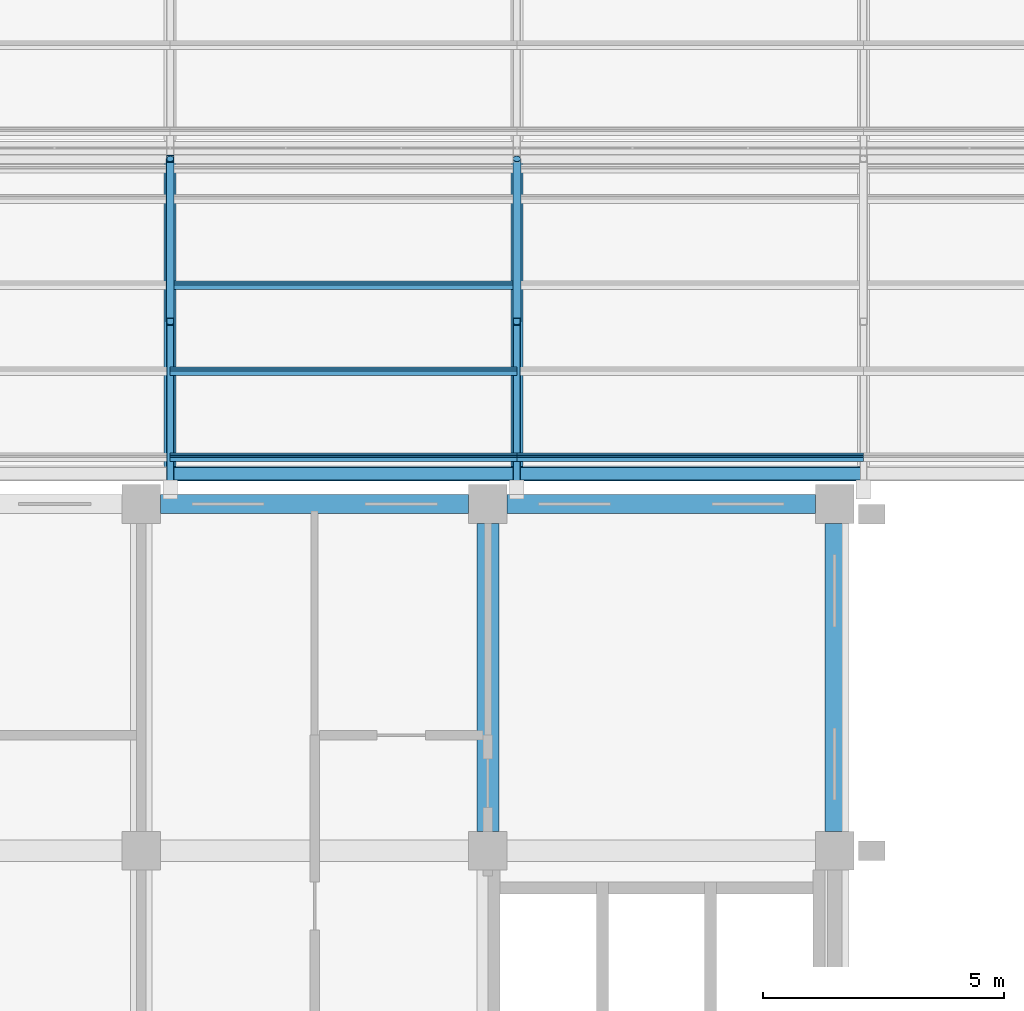
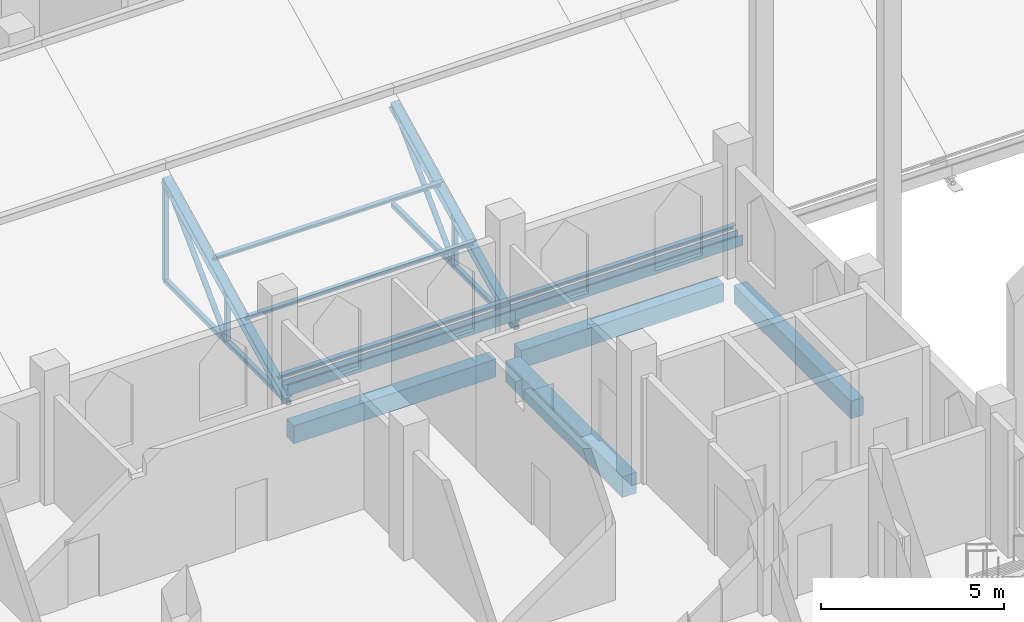
# One storey, part 5 of 29: 15 members, 4 beams.
"""IFC4 building model written with IfcOpenShell, lengths in metres."""

from ifc_helpers import new_model, si_unit, direction, frame, origin, origin_2d, place, context, subcontext, project, spatial, polyline, rectangle, hollow_rectangle, hollow_circle, i_section, outline, extrude, material, material_profile, profile_set, type_object, element, save


model = new_model("IFC4")

# Units and contexts
model_context = context("Model", 3, precision=1e-05, world=origin(), true_north=direction((0.0, 1.0)))
body_context = subcontext(model_context, "Body", "Model", "MODEL_VIEW")
ifc_project = project(units=[si_unit("LENGTHUNIT", "METRE"), si_unit("AREAUNIT", "SQUARE_METRE"), si_unit("VOLUMEUNIT", "CUBIC_METRE"), si_unit("PLANEANGLEUNIT", "RADIAN"), si_unit("MASSUNIT", "GRAM", prefix="KILO")], contexts=[model_context])

# Site, building, storey
site_placement = place(None, origin())
site = spatial("IfcSite", under=ifc_project, at=site_placement, CompositionType="ELEMENT")
building_placement = place(site_placement, origin())
building = spatial("IfcBuilding", under=site, at=building_placement, Name="Silangan Lancet Faculty of Sciences", CompositionType="ELEMENT")
storey_placement = place(building_placement, frame((0.0, 0.0, 40.800048828125)))
storey = spatial("IfcBuildingStorey", under=building, at=storey_placement, Name="L08", CompositionType="ELEMENT", Elevation=40.800048828125)

# Beams
ifc_material_1 = material(Name="Concrete C40/50", Category="concrete")
ifc_material_profile_1 = material_profile(ifc_material_1, rectangle(XDim=0.39990234375, YDim=0.60009765625, at=origin_2d()), Name="RC 400x600")
ifc_profile_set_1 = profile_set([ifc_material_profile_1], Name="Concrete C40/50")
beam_type_1 = type_object("IfcBeamType", Name="BEAM RC 400x600", PredefinedType="BEAM", material=ifc_profile_set_1)
for number, where, z_axis, x_axis, name in (
    (1, (14.800048828125, 21.60009765625, -0.550048828125), (1.0, 0.0, 0.0), (0.0, 1.0, 0.0), "BM-L08-3D-4D"),
    (2, (22.0, 21.60009765625, -0.550048828125), (1.0, 0.0, 0.0), (0.0, 1.0, 0.0), "BM-L08-4D-5D"),
    (3, (28.800048828125, 14.800048828125, -0.550048828125), (0.0, 1.0, 0.0), (-1.0, 0.0, 0.0), "BM-L08-5C-5D"),
):
    element("IfcBeam", number, at=place(storey_placement, frame(where, z_axis=z_axis, x_axis=x_axis)), inside=storey, type_object=beam_type_1, Name=name, PredefinedType="BEAM", context=body_context, shape_type="SweptSolid", body=[
        extrude(rectangle(XDim=0.39990234375, YDim=0.60009765625, at=origin_2d()), origin(), (0.0, 0.0, 1.0), 6.39990234375),
    ])
ifc_material_2 = material(Name="Concrete C40/50", Category="concrete")
ifc_material_profile_2 = material_profile(ifc_material_2, rectangle(XDim=0.449951171875, YDim=0.699951171875, at=origin_2d()), Name="RC 450x700")
ifc_profile_set_2 = profile_set([ifc_material_profile_2], Name="Concrete C40/50")
beam_type_2 = type_object("IfcBeamType", Name="BEAM RC 450x700", PredefinedType="BEAM", material=ifc_profile_set_2)
beam_placement = place(storey_placement, frame((21.60009765625, 14.800048828125, -0.60009765625), z_axis=(0.0, 1.0, 0.0), x_axis=(-1.0, 0.0, 0.0)))
element("IfcBeam", 4, at=beam_placement, inside=storey, type_object=beam_type_2, Name="BM-L08-4C-4D", PredefinedType="BEAM", context=body_context, shape_type="SweptSolid", body=[
    extrude(rectangle(XDim=0.449951171875, YDim=0.699951171875, at=origin_2d()), origin(), (0.0, 0.0, 1.0), 6.39990234375),
])

# Members
ifc_material_3 = material(Name="Steel SS400", Category="steel")
ifc_material_profile_3 = material_profile(ifc_material_3, i_section(OverallWidth=0.10009765625, OverallDepth=0.199951171875, WebThickness=0.005615234375, FlangeThickness=0.008056640625, FilletRadius=0.008056640625, at=origin_2d()), Name="H 200x100x5.5x8")
ifc_profile_set_3 = profile_set([ifc_material_profile_3], Name="Steel SS400")
member_type_1 = type_object("IfcMemberType", Name="Sheeting purlin H 200x100x5.5x8", PredefinedType="PURLIN", material=ifc_profile_set_3)
for number, where, z_axis, x_axis, name in (
    (5, (15.0, 22.5703125, 0.631591796875), (1.0, 0.0, 0.0), (0.0, 0.894427192382, 0.447213592736), "Sheeting purlin ATRIUM-1-3 1"),
    (6, (15.0, 24.359130859375, 1.526123046875), (1.0, 0.0, 0.0), (0.0, 0.894427192382, 0.447213592736), "Sheeting purlin ATRIUM-1-3 2"),
    (7, (15.0, 26.14794921875, 2.42041015625), (1.0, 0.0, 0.0), (0.0, 0.894427192382, 0.447213592736), "Sheeting purlin ATRIUM-1-3 3"),
    (8, (22.199951171875, 22.5703125, 0.631591796875), (1.0, 0.0, 0.0), (0.0, 0.894427192382, 0.447213592736), "Sheeting purlin ATRIUM-1-4 1"),
):
    element("IfcMember", number, at=place(storey_placement, frame(where, z_axis=z_axis, x_axis=x_axis)), inside=storey, type_object=member_type_1, Name=name, PredefinedType="PURLIN", context=body_context, shape_type="SweptSolid", body=[
        extrude(i_section(OverallWidth=0.10009765625, OverallDepth=0.199951171875, WebThickness=0.005615234375, FlangeThickness=0.008056640625, FilletRadius=0.008056640625, at=origin_2d()), origin(), (0.0, 0.0, 1.0), 7.199951171875),
    ])
ifc_material_4 = material(Name="Steel STKR400", Category="steel")
ifc_material_profile_4 = material_profile(ifc_material_4, hollow_rectangle(XDim=0.14990234375, YDim=0.14990234375, WallThickness=0.009033203125, InnerFilletRadius=0.009033203125, OuterFilletRadius=0.01806640625, at=origin_2d()), Name="SHS 150x150x9.0")
ifc_profile_set_4 = profile_set([ifc_material_profile_4], Name="Steel STKR400")
member_type_2 = type_object("IfcMemberType", Name="Truss bottom chord SHS 150x150x9.0", PredefinedType="CHORD", material=ifc_profile_set_4)
for number, where, z_axis, x_axis, name in (
    (9, (15.0, 22.0, 0.094970703125), (0.0, 1.0, 0.0), (-1.0, 0.0, 0.0), "Truss 3 bottom chord 1"),
    (10, (22.199951171875, 22.0, 0.094970703125), (0.0, 1.0, 0.0), (-1.0, 0.0, 0.0), "Truss 4 bottom chord 1"),
):
    element("IfcMember", number, at=place(storey_placement, frame(where, z_axis=z_axis, x_axis=x_axis)), inside=storey, type_object=member_type_2, Name=name, PredefinedType="CHORD", context=body_context, shape_type="SweptSolid", body=[
        extrude(hollow_rectangle(XDim=0.14990234375, YDim=0.14990234375, WallThickness=0.009033203125, InnerFilletRadius=0.009033203125, OuterFilletRadius=0.01806640625, at=origin_2d()), origin(), (0.0, 0.0, 1.0), 6.77001953125),
    ])
ifc_material_5 = material(Name="Steel STK400", Category="steel")
ifc_material_profile_5 = material_profile(ifc_material_5, hollow_circle(Radius=0.08251953125, WallThickness=0.0048828125, at=origin_2d()), Name="CHS 165.2x5.0")
ifc_profile_set_5 = profile_set([ifc_material_profile_5], Name="Steel STK400")
member_type_3 = type_object("IfcMemberType", Name="Truss diagonal CHS 165.2x5.0", PredefinedType="BRACE", material=ifc_profile_set_5)
for number, where, z_axis, x_axis, name in (
    (11, (15.0, 25.385009765625, 0.094970703125), (0.0, 0.707106781187, 0.707106781187), (-1.0, 0.0, 0.0), "Truss 3 diagonal 1"),
    (12, (22.199951171875, 25.385009765625, 0.094970703125), (0.0, 0.707106781187, 0.707106781187), (-1.0, 0.0, 0.0), "Truss 4 diagonal 1"),
):
    element("IfcMember", number, at=place(storey_placement, frame(where, z_axis=z_axis, x_axis=x_axis)), inside=storey, type_object=member_type_3, Name=name, PredefinedType="BRACE", context=body_context, shape_type="SweptSolid", body=[
        extrude(hollow_circle(Radius=0.08251953125, WallThickness=0.0048828125, at=origin_2d()), origin(), (0.0, 0.0, 1.0), 4.787109375),
    ])
ifc_material_6 = material(Name="Steel STKR400", Category="steel")
ifc_material_profile_6 = material_profile(ifc_material_6, hollow_rectangle(XDim=0.14990234375, YDim=0.14990234375, WallThickness=0.006103515625, InnerFilletRadius=0.006103515625, OuterFilletRadius=0.011962890625, at=origin_2d()), Name="SHS 150x150x6.0")
ifc_profile_set_6 = profile_set([ifc_material_profile_6], Name="Steel STKR400")
member_type_4 = type_object("IfcMemberType", Name="Truss post SHS 150x150x6.0", PredefinedType="POST", material=ifc_profile_set_6)
member_placement = place(storey_placement, frame((15.0, 28.77001953125, 0.094970703125), z_axis=(0.0, 0.0, 1.0), x_axis=(1.0, 0.0, 0.0)))
element("IfcMember", 13, at=member_placement, inside=storey, type_object=member_type_4, Name="Truss 3 riser post 1", PredefinedType="POST", context=body_context, shape_type="SweptSolid", body=[
    extrude(hollow_rectangle(XDim=0.14990234375, YDim=0.14990234375, WallThickness=0.006103515625, InnerFilletRadius=0.006103515625, OuterFilletRadius=0.011962890625, at=origin_2d()), origin(), (0.0, 0.0, 1.0), 3.385009765625),
])
for number, where, z_axis, x_axis, name in (
    (14, (15.0, 25.385009765625, 0.094970703125), (0.0, 0.0, 1.0), (1.0, 0.0, 0.0), "Truss 3 mid post 1"),
    (15, (22.199951171875, 25.385009765625, 0.094970703125), (0.0, 0.0, 1.0), (1.0, 0.0, 0.0), "Truss 4 mid post 1"),
):
    element("IfcMember", number, at=place(storey_placement, frame(where, z_axis=z_axis, x_axis=x_axis)), inside=storey, type_object=member_type_4, Name=name, PredefinedType="POST", context=body_context, shape_type="SweptSolid", body=[
        extrude(hollow_rectangle(XDim=0.14990234375, YDim=0.14990234375, WallThickness=0.006103515625, InnerFilletRadius=0.006103515625, OuterFilletRadius=0.011962890625, at=origin_2d()), origin(), (0.0, 0.0, 1.0), 1.6923828125),
    ])
ifc_material_7 = material(Name="Steel SS400", Category="steel")
ifc_material_profile_7 = material_profile(ifc_material_7, i_section(OverallWidth=0.25, OverallDepth=0.25, WebThickness=0.009033203125, FlangeThickness=0.013916015625, FilletRadius=0.01611328125, at=origin_2d()), Name="H 250x250x9x14")
ifc_profile_set_7 = profile_set([ifc_material_profile_7], Name="Steel SS400")
member_type_5 = type_object("IfcMemberType", Name="Truss top chord H 250x250x9x14", PredefinedType="CHORD", material=ifc_profile_set_7)
for number, where, z_axis, x_axis, name in (
    (16, (15.0, 22.08056640625, 0.13525390625), (0.0, 0.894427191, 0.4472135955), (-1.0, 0.0, 0.0), "Truss 3 top chord 1"),
    (17, (22.199951171875, 22.08056640625, 0.13525390625), (0.0, 0.894427191, 0.4472135955), (-1.0, 0.0, 0.0), "Truss 4 top chord 1"),
):
    element("IfcMember", number, at=place(storey_placement, frame(where, z_axis=z_axis, x_axis=x_axis)), inside=storey, type_object=member_type_5, Name=name, PredefinedType="CHORD", context=body_context, shape_type="SweptSolid", body=[
        extrude(i_section(OverallWidth=0.25, OverallDepth=0.25, WebThickness=0.009033203125, FlangeThickness=0.013916015625, FilletRadius=0.01611328125, at=origin_2d()), origin(), (0.0, 0.0, 1.0), 7.47900390625),
    ])
ifc_material_8 = material(Name="Stainless steel", Category="steel")
ifc_material_profile_8 = material_profile(ifc_material_8, outline(polyline([(-0.14990234375, 0.0), (0.14990234375, 0.14990234375), (0.14990234375, 0.35009765625), (0.1298828125, 0.35009765625), (0.1298828125, 0.169921875), (-0.1298828125, 0.169921875), (-0.1298828125, 0.35009765625), (-0.14990234375, 0.35009765625), (-0.14990234375, 0.0)])), Name="valley gutter")
ifc_profile_set_8 = profile_set([ifc_material_profile_8], Name="Stainless steel")
member_type_6 = type_object("IfcMemberType", Name="Valley gutter 300 wide", PredefinedType="USERDEFINED", material=ifc_profile_set_8)
for number, where, z_axis, x_axis, name in (
    (18, (15.0, 22.22509765625, 0.272216796875), (1.0, 0.0, 0.0), (0.0, 1.0, 0.0), "Valley gutter ATRIUM-1-3"),
    (19, (22.199951171875, 22.22509765625, 0.272216796875), (1.0, 0.0, 0.0), (0.0, 1.0, 0.0), "Valley gutter ATRIUM-1-4"),
):
    element("IfcMember", number, at=place(storey_placement, frame(where, z_axis=z_axis, x_axis=x_axis)), inside=storey, type_object=member_type_6, Name=name, ObjectType="GUTTER", PredefinedType="USERDEFINED", context=body_context, shape_type="SweptSolid", body=[
        extrude(outline(polyline([(-0.14990234375, 0.0), (0.14990234375, 0.14990234375), (0.14990234375, 0.35009765625), (0.1298828125, 0.35009765625), (0.1298828125, 0.169921875), (-0.1298828125, 0.169921875), (-0.1298828125, 0.35009765625), (-0.14990234375, 0.35009765625), (-0.14990234375, 0.0)])), origin(), (0.0, 0.0, 1.0), 7.199951171875),
    ])

save(model, "model.ifc")
